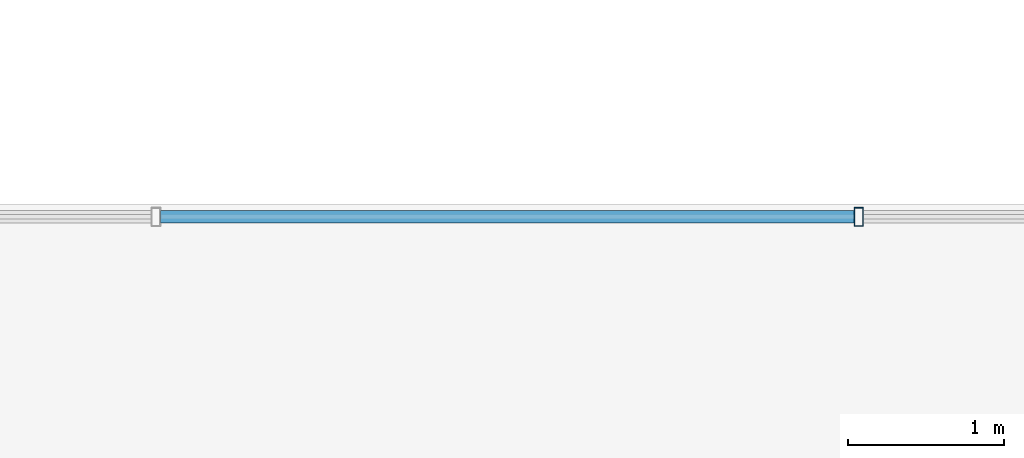
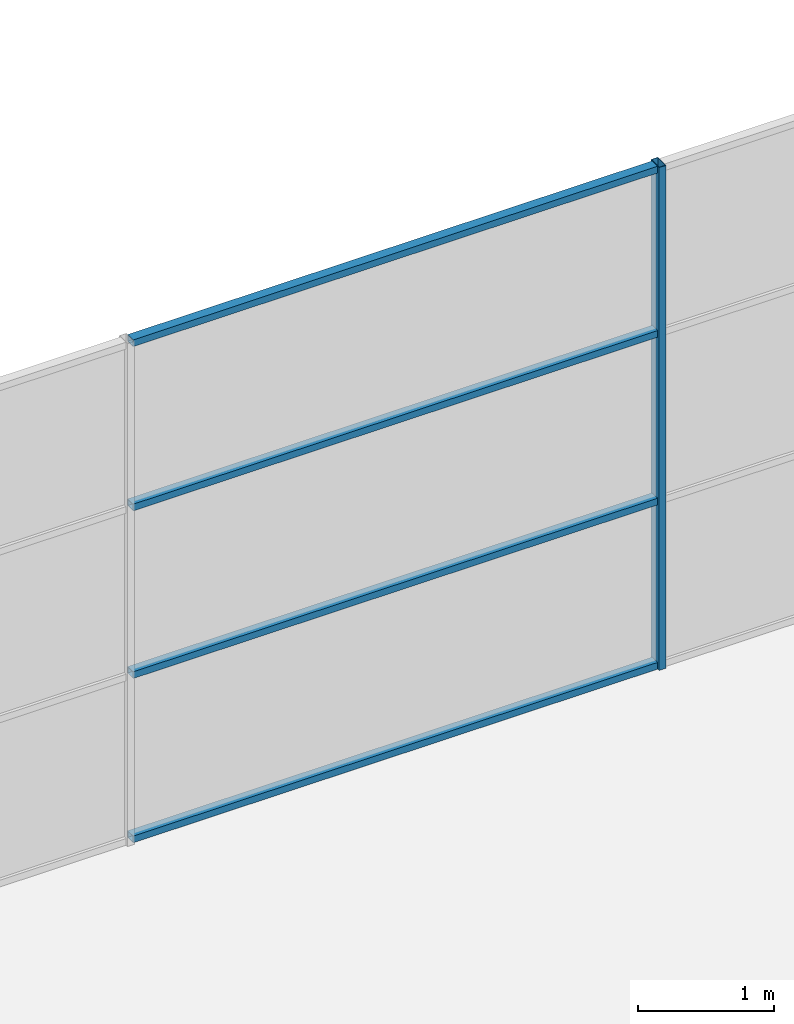
# One storey, part 20 of 149: 5 members, 1 element without a shape of its own.
"""IFC4 building model written with IfcOpenShell, lengths in metres."""

import ifcopenshell
import ifcopenshell.guid

model = None  # the IFC model being written
_history = None  # IfcOwnerHistory: only IFC2X3 demands one
_inside = {}  # id of a spatial element -> (the spatial element, [elements in it])
_under = {}  # id of a project, library or spatial element -> (it, [spatial elements below it])
_declared = {}  # id of a project -> (the project, [libraries it declares])
_typed = {}  # id of a type object -> (the type object, [elements of that type])
_made_of = {}  # id of a material, layer set ... -> (it, [elements and type objects made of it])


def new_model(schema):
    """Start an empty IFC model of exactly this schema.

    Asked for "IFC4X3", IfcOpenShell would pick the latest addendum, in which some entities
    have other attributes; the version numbers below select the first issue.
    IFC2X3 requires an IfcOwnerHistory on every rooted entity: one is made here for all.
    """
    global model, _history
    if schema == "IFC4X3":
        model = ifcopenshell.file(schema_version=(4, 3, 0, 0))
    else:
        model = ifcopenshell.file(schema=schema)
    _inside.clear()
    _under.clear()
    _declared.clear()
    _typed.clear()
    _made_of.clear()
    _history = None
    if model.schema == "IFC2X3":
        org = make("IfcOrganization", Name="unknown")
        user = make(
            "IfcPersonAndOrganization",
            ThePerson=make("IfcPerson", FamilyName="unknown"),
            TheOrganization=org,
        )
        app = make(
            "IfcApplication",
            ApplicationDeveloper=org,
            Version="unknown",
            ApplicationFullName="unknown",
            ApplicationIdentifier="unknown",
        )
        _history = make(
            "IfcOwnerHistory",
            OwningUser=user,
            OwningApplication=app,
            ChangeAction="ADDED",
            CreationDate=0,
        )
    return model


def make(cls, **values):
    """One entity of the class cls with the attributes given. An attribute that is None is left unset."""
    return model.create_entity(
        cls, **{name: value for name, value in values.items() if value is not None}
    )


def rooted(cls, **values):
    """An entity with a GlobalId (a new one), such as an element, a storey or a relation."""
    return make(cls, GlobalId=ifcopenshell.guid.new(), OwnerHistory=_history, **values)


def si_unit(unit_type, name, prefix=None):
    """IfcSIUnit, for example si_unit("LENGTHUNIT", "METRE", prefix="MILLI")."""
    return make("IfcSIUnit", UnitType=unit_type, Prefix=prefix, Name=name)


def assignment(units):
    """IfcUnitAssignment: the units of a project."""
    return None if units is None else make("IfcUnitAssignment", Units=units)


def point(xyz):
    """IfcCartesianPoint."""
    return None if xyz is None else make("IfcCartesianPoint", Coordinates=xyz)


def direction(xyz):
    """IfcDirection."""
    return None if xyz is None else make("IfcDirection", DirectionRatios=xyz)


def frame(location, z_axis=None, x_axis=None):
    """IfcAxis2Placement3D, a coordinate frame: its origin and axes. An axis left out is left unset."""
    return make(
        "IfcAxis2Placement3D",
        Location=point(location),
        Axis=direction(z_axis),
        RefDirection=direction(x_axis),
    )


def frame_2d(location, x_axis=None):
    """IfcAxis2Placement2D, a coordinate frame in the plane: its origin and x axis."""
    return make(
        "IfcAxis2Placement2D", Location=point(location), RefDirection=direction(x_axis)
    )


def origin():
    """The frame at (0, 0, 0) with its axes left unset."""
    return frame((0.0, 0.0, 0.0))


def origin_2d():
    """The frame at (0, 0) in the plane with its x axis left unset."""
    return frame_2d((0.0, 0.0))


def place(relative_to, where):
    """IfcLocalPlacement: puts the frame where relative to a parent placement (None: the world)."""
    return make(
        "IfcLocalPlacement", PlacementRelTo=relative_to, RelativePlacement=where
    )


def context(
    kind, dimensions, precision=None, world=None, true_north=None, identifier=None
):
    """IfcGeometricRepresentationContext, for example the 3D "Model" context."""
    return make(
        "IfcGeometricRepresentationContext",
        ContextIdentifier=identifier,
        ContextType=kind,
        CoordinateSpaceDimension=dimensions,
        Precision=precision,
        WorldCoordinateSystem=world,
        TrueNorth=true_north,
    )


def subcontext(parent, identifier, kind, view, scale=None):
    """IfcGeometricRepresentationSubContext, for example "Body" below "Model"."""
    return make(
        "IfcGeometricRepresentationSubContext",
        ContextIdentifier=identifier,
        ContextType=kind,
        ParentContext=parent,
        TargetScale=scale,
        TargetView=view,
    )


def project(units=None, contexts=None):
    """IfcProject with its units and contexts."""
    return rooted(
        "IfcProject",
        Name="project",
        RepresentationContexts=contexts,
        UnitsInContext=assignment(units),
    )


def spatial(cls, under=None, at=None, **own):
    """A site, building, storey or space (cls), placed at a placement, below another one or the project."""
    s = rooted(cls, ObjectPlacement=at, **own)
    if under is not None:
        _under.setdefault(under.id(), (under, []))[1].append(s)
    return s


def profile(cls, at=None, kind="AREA", **sizes):
    """A parametric profile (cls). Its sizes go by their IFC names, for example OverallWidth=200.0."""
    return make(cls, ProfileType=kind, Position=at, **sizes)


def hollow_rectangle(**sizes):
    """IfcRectangleHollowProfileDef."""
    return profile("IfcRectangleHollowProfileDef", **sizes)


def extrude(swept, where, along, depth):
    """IfcExtrudedAreaSolid: the profile swept, set in the frame where, extruded along a direction by depth."""
    return make(
        "IfcExtrudedAreaSolid",
        SweptArea=swept,
        Position=where,
        ExtrudedDirection=direction(along),
        Depth=depth,
    )


def shape(context_of_items, identifier, shape_type, items):
    """IfcShapeRepresentation: the items that make up one representation, for example the "Body"."""
    return make(
        "IfcShapeRepresentation",
        ContextOfItems=context_of_items,
        RepresentationIdentifier=identifier,
        RepresentationType=shape_type,
        Items=items,
    )


def material(Name=None, Category=None):
    """IfcMaterial."""
    return make("IfcMaterial", Name=Name, Category=Category)


def material_profile(
    of_material, cross_section, Name=None, Category=None, Priority=None
):
    """IfcMaterialProfile: a cross section and its material."""
    return make(
        "IfcMaterialProfile",
        Name=Name,
        Material=of_material,
        Profile=cross_section,
        Priority=Priority,
        Category=Category,
    )


def profile_set(profiles, Name=None, composite=None):
    """IfcMaterialProfileSet."""
    return make(
        "IfcMaterialProfileSet",
        Name=Name,
        MaterialProfiles=profiles,
        CompositeProfile=composite,
    )


def made_of(thing, what):
    """Note that an element or type object is made of a material, layer set ...; save() writes the relation."""
    if what is not None:
        _made_of.setdefault(what.id(), (what, []))[1].append(thing)
    return thing


def type_object(cls, material=None, **own):
    """A type object (cls), such as IfcWallType, which elements share."""
    return made_of(rooted(cls, **own), material)


def element(
    cls,
    number,
    at=None,
    inside=None,
    cuts=None,
    type_object=None,
    material=None,
    context=None,
    identifier="Body",
    shape_type=None,
    held_by="IfcProductDefinitionShape",
    body=None,
    shapes=None,
    **own,
):
    """One element of the class cls, such as IfcWall. Its Tag is "e" and its number.

    at: its placement. inside: the storey or other place that contains it. cuts: it is an
    opening in that element (IfcRelVoidsElement). A single representation is given by context,
    identifier, shape_type and body (its items); several are given by shapes. held_by: the class
    of the entity that holds the representations. save() writes the other relations.
    """
    e = rooted(cls, Tag="e%d" % number, ObjectPlacement=at, **own)
    if body is not None:
        shapes = [shape(context, identifier, shape_type, body)]
    if shapes is not None:
        e.Representation = make(held_by, Representations=shapes)
    if inside is not None:
        _inside.setdefault(inside.id(), (inside, []))[1].append(e)
    if cuts is not None:
        rooted(
            "IfcRelVoidsElement", RelatingBuildingElement=cuts, RelatedOpeningElement=e
        )
    if type_object is not None:
        _typed.setdefault(type_object.id(), (type_object, []))[1].append(e)
    return made_of(e, material)


def aggregate(whole, parts):
    """IfcRelAggregates: a whole, such as a stair, and the parts it consists of."""
    return rooted("IfcRelAggregates", RelatingObject=whole, RelatedObjects=parts)


def save(model, path):
    """Write the relations noted so far, then the file.

    IfcRelAggregates (storeys below a building ...), IfcRelContainedInSpatialStructure (elements
    in a storey), IfcRelDefinesByType, IfcRelAssociatesMaterial and IfcRelDeclares: one each for
    every whole, place, type object, material and project.
    """
    for whole, parts in _under.values():
        aggregate(whole, parts)
    for where, things in _inside.values():
        rooted(
            "IfcRelContainedInSpatialStructure",
            RelatedElements=things,
            RelatingStructure=where,
        )
    for kind, things in _typed.values():
        rooted("IfcRelDefinesByType", RelatedObjects=things, RelatingType=kind)
    for what, things in _made_of.values():
        rooted("IfcRelAssociatesMaterial", RelatedObjects=things, RelatingMaterial=what)
    for by, libraries in _declared.values():
        rooted("IfcRelDeclares", RelatingContext=by, RelatedDefinitions=libraries)
    model.write(path)


model = new_model("IFC4")

# Units and contexts
model_context = context("Model", 3, precision=1e-05, world=origin(), true_north=direction((0.0, 1.0)))
body_context = subcontext(model_context, "Body", "Model", "MODEL_VIEW")
ifc_project = project(units=[si_unit("LENGTHUNIT", "METRE"), si_unit("AREAUNIT", "SQUARE_METRE"), si_unit("VOLUMEUNIT", "CUBIC_METRE"), si_unit("PLANEANGLEUNIT", "RADIAN"), si_unit("MASSUNIT", "GRAM", prefix="KILO")], contexts=[model_context])

# Site, building, storey
site_placement = place(None, origin())
site = spatial("IfcSite", under=ifc_project, at=site_placement, CompositionType="ELEMENT")
building_placement = place(site_placement, origin())
building = spatial("IfcBuilding", under=site, at=building_placement, Name="Kallimachos Central Library", CompositionType="ELEMENT")
storey_placement = place(building_placement, frame((0.0, 0.0, 9.89990234375)))
storey = spatial("IfcBuildingStorey", under=building, at=storey_placement, Name="L02", CompositionType="ELEMENT", Elevation=9.89990234375)

# Curtain wall, members
ifc_material_1 = material(Name="Aluminium and laminated glass", Category="aluminium")
curtain_wall_type = type_object("IfcCurtainWallType", Name="Atrium glazed screen", PredefinedType="NOTDEFINED", material=ifc_material_1)
curtain_wall_placement = place(storey_placement, origin())
curtain_wall = element("IfcCurtainWall", 1, at=curtain_wall_placement, inside=storey, type_object=curtain_wall_type, Name="L02 atrium screen S", PredefinedType="NOTDEFINED")
ifc_material_2 = material(Name="Anodised aluminium", Category="aluminium")
ifc_material_profile_1 = material_profile(ifc_material_2, hollow_rectangle(XDim=0.06005859375, YDim=0.1201171875, WallThickness=0.00390625, at=origin_2d()), Name="ALU MULLION 60x120")
ifc_profile_set_1 = profile_set([ifc_material_profile_1], Name="Anodised aluminium")
member_type_1 = type_object("IfcMemberType", Name="Atrium screen mullion", PredefinedType="MULLION", material=ifc_profile_set_1)
member_1_placement = place(storey_placement, frame((83.5, 56.919921875, 0.0), z_axis=(0.0, 0.0, 1.0), x_axis=(1.0, 0.0, 0.0)))
member_1 = element("IfcMember", 2, at=member_1_placement, type_object=member_type_1, Name="CW mullion 3", PredefinedType="MULLION", context=body_context, shape_type="SweptSolid", body=[
    extrude(hollow_rectangle(XDim=0.06005859375, YDim=0.1201171875, WallThickness=0.00390625, at=origin_2d()), origin(), (0.0, 0.0, 1.0), 4.5),
])
ifc_material_3 = material(Name="Anodised aluminium", Category="aluminium")
ifc_material_profile_2 = material_profile(ifc_material_3, hollow_rectangle(XDim=0.06005859375, YDim=0.080078125, WallThickness=0.00390625, at=origin_2d()), Name="ALU TRANSOM 60x80")
ifc_profile_set_2 = profile_set([ifc_material_profile_2], Name="Anodised aluminium")
member_type_2 = type_object("IfcMemberType", Name="Atrium screen transom", PredefinedType="USERDEFINED", material=ifc_profile_set_2)
member_2_placement = place(storey_placement, frame((79.030029296875, 56.919921875, 0.030029296875), z_axis=(1.0, 0.0, 0.0), x_axis=(0.0, 0.0, 1.0)))
member_2 = element("IfcMember", 3, at=member_2_placement, type_object=member_type_2, Name="CW transom 2.1", ObjectType="TRANSOM", PredefinedType="USERDEFINED", context=body_context, shape_type="SweptSolid", body=[
    extrude(hollow_rectangle(XDim=0.06005859375, YDim=0.080078125, WallThickness=0.00390625, at=origin_2d()), origin(), (0.0, 0.0, 1.0), 4.43994140625),
])
member_3_placement = place(storey_placement, frame((79.030029296875, 56.919921875, 1.5), z_axis=(1.0, 0.0, 0.0), x_axis=(0.0, 0.0, 1.0)))
member_3 = element("IfcMember", 4, at=member_3_placement, type_object=member_type_2, Name="CW transom 2.2", ObjectType="TRANSOM", PredefinedType="USERDEFINED", context=body_context, shape_type="SweptSolid", body=[
    extrude(hollow_rectangle(XDim=0.06005859375, YDim=0.080078125, WallThickness=0.00390625, at=origin_2d()), origin(), (0.0, 0.0, 1.0), 4.43994140625),
])
member_4_placement = place(storey_placement, frame((79.030029296875, 56.919921875, 3.0), z_axis=(1.0, 0.0, 0.0), x_axis=(0.0, 0.0, 1.0)))
member_4 = element("IfcMember", 5, at=member_4_placement, type_object=member_type_2, Name="CW transom 2.3", ObjectType="TRANSOM", PredefinedType="USERDEFINED", context=body_context, shape_type="SweptSolid", body=[
    extrude(hollow_rectangle(XDim=0.06005859375, YDim=0.080078125, WallThickness=0.00390625, at=origin_2d()), origin(), (0.0, 0.0, 1.0), 4.43994140625),
])
member_5_placement = place(storey_placement, frame((79.030029296875, 56.919921875, 4.47021484375), z_axis=(1.0, 0.0, 0.0), x_axis=(0.0, 0.0, 1.0)))
member_5 = element("IfcMember", 6, at=member_5_placement, type_object=member_type_2, Name="CW transom 2.4", ObjectType="TRANSOM", PredefinedType="USERDEFINED", context=body_context, shape_type="SweptSolid", body=[
    extrude(hollow_rectangle(XDim=0.06005859375, YDim=0.080078125, WallThickness=0.00390625, at=origin_2d()), origin(), (0.0, 0.0, 1.0), 4.43994140625),
])
aggregate(curtain_wall, [member_1, member_2, member_3, member_4, member_5])

save(model, "model.ifc")
